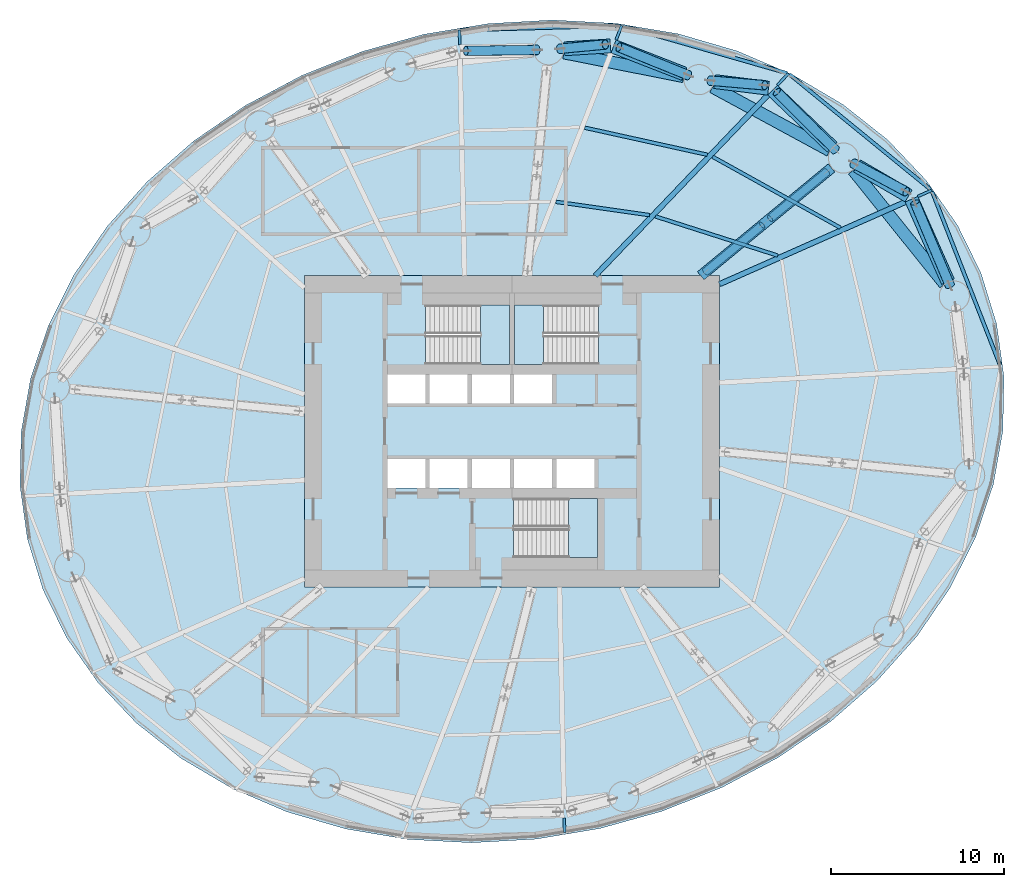
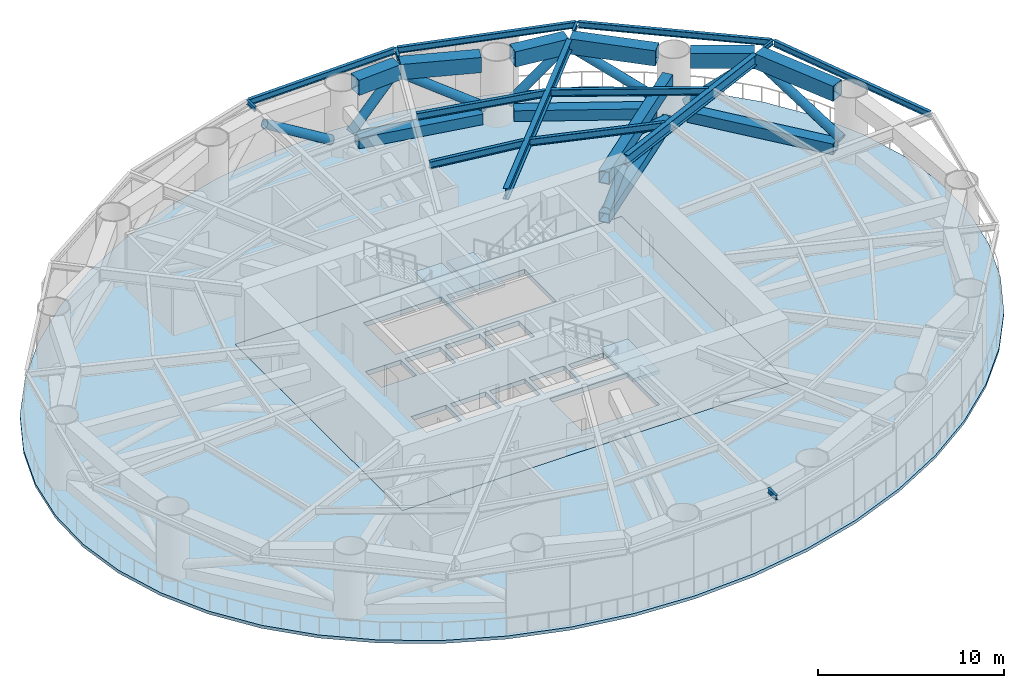
# One storey, part 4 of 15: 20 members, 15 beams, 5 slabs, 3 elements without a shape of their own.
"""IFC4 building model written with IfcOpenShell, lengths in metres."""

from ifc_helpers import new_model, si_unit, direction, frame, origin, origin_2d, place, context, subcontext, project, spatial, polyline, hollow_rectangle, hollow_circle, i_section, outline, extrude, material, layer, layer_set, material_profile, profile_set, type_object, element, aggregate, save


model = new_model("IFC4")

# Units and contexts
model_context = context("Model", 3, precision=1e-05, world=origin(), true_north=direction((0.0, 1.0)))
body_context = subcontext(model_context, "Body", "Model", "MODEL_VIEW")
ifc_project = project(units=[si_unit("LENGTHUNIT", "METRE"), si_unit("AREAUNIT", "SQUARE_METRE"), si_unit("VOLUMEUNIT", "CUBIC_METRE"), si_unit("PLANEANGLEUNIT", "RADIAN"), si_unit("MASSUNIT", "GRAM", prefix="KILO")], contexts=[model_context])

# Site, building, storey
site_placement = place(None, origin())
site = spatial("IfcSite", under=ifc_project, at=site_placement, CompositionType="ELEMENT")
building_placement = place(site_placement, origin())
building = spatial("IfcBuilding", under=site, at=building_placement, Name="Vermilion Reach Broadcast Tower", CompositionType="ELEMENT")
storey_placement = place(building_placement, frame((0.0, 0.0, 84.10009765625)))
storey = spatial("IfcBuildingStorey", under=building, at=storey_placement, Name="L18", CompositionType="ELEMENT", Elevation=84.10009765625)

# Members
ifc_material_1 = material(Name="Steel S460NL", Category="steel")
ifc_material_profile_1 = material_profile(ifc_material_1, hollow_rectangle(XDim=0.699951171875, YDim=0.699951171875, WallThickness=0.034912109375, at=origin_2d()), Name="S460NL BOX 700x700x35")
ifc_profile_set_1 = profile_set([ifc_material_profile_1], Name="Steel S460NL")
member_type_1 = type_object("IfcMemberType", Name="BT1-BC BOX 700x700x35", PredefinedType="CHORD", material=ifc_profile_set_1)
member_1_placement = place(storey_placement, frame((19.011962890625, 8.52587890625, 0.349853515625), z_axis=(-0.626162157191, 0.779692858055, 0.0), x_axis=(-0.779692858055, -0.626162157191, 0.0)))
element("IfcMember", 1, at=member_1_placement, inside=storey, type_object=member_type_1, Name="Belt truss bottom chord BT1-BC01", PredefinedType="CHORD", context=body_context, shape_type="SweptSolid", body=[
    extrude(hollow_rectangle(XDim=0.699951171875, YDim=0.699951171875, WallThickness=0.034912109375, at=origin_2d()), origin(), (0.0, 0.0, 1.0), 8.435791015625),
])
member_2_placement = place(storey_placement, frame((12.375244140625, 16.234130859375, 0.349853515625), z_axis=(-0.878962319551, 0.476891225344, 0.0), x_axis=(-0.476891225344, -0.878962319551, 0.0)))
element("IfcMember", 2, at=member_2_placement, inside=storey, type_object=member_type_1, Name="Belt truss bottom chord BT1-BC02", PredefinedType="CHORD", context=body_context, shape_type="SweptSolid", body=[
    extrude(hollow_rectangle(XDim=0.699951171875, YDim=0.699951171875, WallThickness=0.034912109375, at=origin_2d()), origin(), (0.0, 0.0, 1.0), 7.707275390625),
])
member_3_placement = place(storey_placement, frame((3.927001953125, 20.51416015625, 0.349853515625), z_axis=(-0.980857717995, 0.194725799651, 0.0), x_axis=(-0.194725799651, -0.980857717995, 0.0)))
element("IfcMember", 3, at=member_3_placement, inside=storey, type_object=member_type_1, Name="Belt truss bottom chord BT1-BC03", PredefinedType="CHORD", context=body_context, shape_type="SweptSolid", body=[
    extrude(hollow_rectangle(XDim=0.699951171875, YDim=0.699951171875, WallThickness=0.034912109375, at=origin_2d()), origin(), (0.0, 0.0, 1.0), 7.05859375),
])
ifc_material_2 = material(Name="Steel S355J2H", Category="steel")
ifc_material_profile_2 = material_profile(ifc_material_2, hollow_circle(Radius=0.279541015625, WallThickness=0.02490234375, at=origin_2d()), Name="S355J2H CHS 559x25")
ifc_profile_set_2 = profile_set([ifc_material_profile_2], Name="Steel S355J2H")
member_type_2 = type_object("IfcMemberType", Name="BT1-D CHS 559x25", PredefinedType="BRACE", material=ifc_profile_set_2)
member_4_placement = place(storey_placement, frame((19.32275390625, 8.423095703125, 0.7998046875), z_axis=(-0.349386545183, 0.828605298732, 0.437426909276), x_axis=(-0.921436355221, -0.388529333869, 0.0)))
element("IfcMember", 4, at=member_4_placement, inside=storey, type_object=member_type_2, Name="Belt truss diagonal BT1-D01A", PredefinedType="BRACE", context=body_context, shape_type="SweptSolid", body=[
    extrude(hollow_circle(Radius=0.279541015625, WallThickness=0.02490234375, at=origin_2d()), origin(), (0.0, 0.0, 1.0), 5.806884765625),
])
member_5_placement = place(storey_placement, frame((13.739013671875, 15.49755859375, 0.7998046875), z_axis=(0.710697232619, -0.381455049948, 0.591101927266), x_axis=(0.472919079995, 0.881105864114, 0.0)))
element("IfcMember", 5, at=member_5_placement, inside=storey, type_object=member_type_2, Name="Belt truss diagonal BT1-D01B", PredefinedType="BRACE", context=body_context, shape_type="SweptSolid", body=[
    extrude(hollow_circle(Radius=0.279541015625, WallThickness=0.02490234375, at=origin_2d()), origin(), (0.0, 0.0, 1.0), 4.297119140625),
])
member_6_placement = place(storey_placement, frame((12.705078125, 16.26318359375, 0.7998046875), z_axis=(-0.626485584577, 0.622244648026, 0.469390466797), x_axis=(-0.704701241679, -0.709504164875, 0.0)))
element("IfcMember", 6, at=member_6_placement, inside=storey, type_object=member_type_2, Name="Belt truss diagonal BT1-D02A", PredefinedType="BRACE", context=body_context, shape_type="SweptSolid", body=[
    extrude(hollow_circle(Radius=0.279541015625, WallThickness=0.02490234375, at=origin_2d()), origin(), (0.0, 0.0, 1.0), 5.411376953125),
])
member_7_placement = place(storey_placement, frame((5.45751953125, 20.283203125, 0.7998046875), z_axis=(0.777124142774, -0.066825458407, 0.625789441287), x_axis=(0.085674539458, 0.996323177131, 0.0)))
element("IfcMember", 7, at=member_7_placement, inside=storey, type_object=member_type_2, Name="Belt truss diagonal BT1-D02B", PredefinedType="BRACE", context=body_context, shape_type="SweptSolid", body=[
    extrude(hollow_circle(Radius=0.279541015625, WallThickness=0.02490234375, at=origin_2d()), origin(), (0.0, 0.0, 1.0), 4.058837890625),
])
member_8_placement = place(storey_placement, frame((4.20751953125, 20.583251953125, 0.7998046875), z_axis=(-0.800150353809, 0.324404937094, 0.504500592754), x_axis=(-0.375724663225, -0.926731340489, 0.0)))
element("IfcMember", 8, at=member_8_placement, inside=storey, type_object=member_type_2, Name="Belt truss diagonal BT1-D03A", PredefinedType="BRACE", context=body_context, shape_type="SweptSolid", body=[
    extrude(hollow_circle(Radius=0.279541015625, WallThickness=0.02490234375, at=origin_2d()), origin(), (0.0, 0.0, 1.0), 5.03466796875),
])
member_9_placement = place(storey_placement, frame((-3.232177734375, 22.124755859375, 0.7998046875), z_axis=(0.717190475774, 0.06759910229, 0.693590789175), x_axis=(-0.093839520276, 0.995587336417, 0.0)))
element("IfcMember", 9, at=member_9_placement, inside=storey, type_object=member_type_2, Name="Belt truss diagonal BT1-D03B", PredefinedType="BRACE", context=body_context, shape_type="SweptSolid", body=[
    extrude(hollow_circle(Radius=0.279541015625, WallThickness=0.02490234375, at=origin_2d()), origin(), (0.0, 0.0, 1.0), 3.662109375),
])
member_10_placement = place(storey_placement, frame((-4.529296875, 22.05517578125, 0.7998046875), z_axis=(-0.852272311599, -0.011360279706, 0.522975000288), x_axis=(0.013328217377, -0.999911175366, 0.0)))
element("IfcMember", 10, at=member_10_placement, inside=storey, type_object=member_type_2, Name="Belt truss diagonal BT1-D04A", PredefinedType="BRACE", context=body_context, shape_type="SweptSolid", body=[
    extrude(hollow_circle(Radius=0.279541015625, WallThickness=0.02490234375, at=origin_2d()), origin(), (0.0, 0.0, 1.0), 4.85693359375),
])
ifc_material_3 = material(Name="Steel S460NL", Category="steel")
ifc_material_profile_3 = material_profile(ifc_material_3, hollow_rectangle(XDim=0.800048828125, YDim=1.0, WallThickness=0.0400390625, at=origin_2d()), Name="S460NL BOX 800x1000x40")
ifc_profile_set_3 = profile_set([ifc_material_profile_3], Name="Steel S460NL")
member_type_3 = type_object("IfcMemberType", Name="BT1-TC BOX 800x1000x40", PredefinedType="CHORD", material=ifc_profile_set_3)
member_11_placement = place(storey_placement, frame((19.207275390625, 8.65625, 3.849853515625), z_axis=(-0.404643107068, 0.914474688497, 0.0), x_axis=(-0.914474688497, -0.404643107068, 0.0)))
element("IfcMember", 11, at=member_11_placement, inside=storey, type_object=member_type_3, Name="Belt truss top chord BT1-TC01", PredefinedType="CHORD", context=body_context, shape_type="SweptSolid", body=[
    extrude(hollow_rectangle(XDim=0.800048828125, YDim=1.0, WallThickness=0.0400390625, at=origin_2d()), origin(), (0.0, 0.0, 1.0), 5.212890625),
])
member_12_placement = place(storey_placement, frame((16.927001953125, 13.6142578125, 3.849853515625), z_axis=(-0.86407971885, 0.503354983557, 0.0), x_axis=(-0.503354983557, -0.86407971885, 0.0)))
element("IfcMember", 12, at=member_12_placement, inside=storey, type_object=member_type_3, Name="Belt truss top chord BT1-TC02", PredefinedType="CHORD", context=body_context, shape_type="SweptSolid", body=[
    extrude(hollow_rectangle(XDim=0.800048828125, YDim=1.0, WallThickness=0.0400390625, at=origin_2d()), origin(), (0.0, 0.0, 1.0), 3.442138671875),
])
member_13_placement = place(storey_placement, frame((12.50830078125, 16.433837890625, 3.849853515625), z_axis=(-0.722984436357, 0.690864317204, 0.0), x_axis=(-0.690864317204, -0.722984436357, 0.0)))
element("IfcMember", 13, at=member_13_placement, inside=storey, type_object=member_type_3, Name="Belt truss top chord BT1-TC03", PredefinedType="CHORD", context=body_context, shape_type="SweptSolid", body=[
    extrude(hollow_rectangle(XDim=0.800048828125, YDim=1.0, WallThickness=0.0400390625, at=origin_2d()), origin(), (0.0, 0.0, 1.0), 4.765625),
])
member_14_placement = place(storey_placement, frame((8.8271484375, 19.838134765625, 3.849853515625), z_axis=(-0.992320901916, 0.12369004657, 0.0), x_axis=(-0.12369004657, -0.992320901916, 0.0)))
element("IfcMember", 14, at=member_14_placement, inside=storey, type_object=member_type_3, Name="Belt truss top chord BT1-TC04", PredefinedType="CHORD", context=body_context, shape_type="SweptSolid", body=[
    extrude(hollow_rectangle(XDim=0.800048828125, YDim=1.0, WallThickness=0.0400390625, at=origin_2d()), origin(), (0.0, 0.0, 1.0), 3.138427734375),
])
member_15_placement = place(storey_placement, frame((3.9619140625, 20.669189453125, 3.849853515625), z_axis=(-0.931886618967, 0.362749678691, 0.0), x_axis=(-0.362749678691, -0.931886618967, 0.0)))
element("IfcMember", 15, at=member_15_placement, inside=storey, type_object=member_type_3, Name="Belt truss top chord BT1-TC05", PredefinedType="CHORD", context=body_context, shape_type="SweptSolid", body=[
    extrude(hollow_rectangle(XDim=0.800048828125, YDim=1.0, WallThickness=0.0400390625, at=origin_2d()), origin(), (0.0, 0.0, 1.0), 4.387451171875),
])
member_16_placement = place(storey_placement, frame((-0.306396484375, 22.28857421875, 3.849853515625), z_axis=(-0.998030815218, -0.062725528103, 0.0), x_axis=(0.062725528103, -0.998030815218, 0.0)))
element("IfcMember", 16, at=member_16_placement, inside=storey, type_object=member_type_3, Name="Belt truss top chord BT1-TC06", PredefinedType="CHORD", context=body_context, shape_type="SweptSolid", body=[
    extrude(hollow_rectangle(XDim=0.800048828125, YDim=1.0, WallThickness=0.0400390625, at=origin_2d()), origin(), (0.0, 0.0, 1.0), 2.670166015625),
])

# Beams
ifc_material_4 = material(Name="Steel S355J2", Category="steel")
ifc_material_profile_4 = material_profile(ifc_material_4, i_section(OverallWidth=0.199951171875, OverallDepth=0.39990234375, WebThickness=0.008056640625, FlangeThickness=0.012939453125, at=origin_2d()), Name="S355J2 HN 400x200x8x13")
ifc_profile_set_4 = profile_set([ifc_material_profile_4], Name="Steel S355J2")
beam_type_1 = type_object("IfcBeamType", Name="EB2 HN 400x200x8x13", PredefinedType="BEAM", material=ifc_profile_set_4)
beam_1_placement = place(storey_placement, frame((18.197021484375, 13.99169921875, 4.14990234375), z_axis=(-0.774674189171, 0.632360578019, 0.0), x_axis=(-0.632360578019, -0.774674189171, 0.0)))
element("IfcBeam", 17, at=beam_1_placement, inside=storey, type_object=beam_type_1, Name="Edge beam EB2-01", PredefinedType="BEAM", context=body_context, shape_type="SweptSolid", body=[
    extrude(i_section(OverallWidth=0.199951171875, OverallDepth=0.39990234375, WebThickness=0.008056640625, FlangeThickness=0.012939453125, at=origin_2d()), origin(), (0.0, 0.0, 1.0), 10.52294921875),
])
beam_2_placement = place(storey_placement, frame((9.905517578125, 20.716796875, 4.14990234375), z_axis=(-0.961163948934, 0.275978012294, 0.0), x_axis=(-0.275978012294, -0.961163948934, 0.0)))
element("IfcBeam", 18, at=beam_2_placement, inside=storey, type_object=beam_type_1, Name="Edge beam EB2-02", PredefinedType="BEAM", context=body_context, shape_type="SweptSolid", body=[
    extrude(i_section(OverallWidth=0.199951171875, OverallDepth=0.39990234375, WebThickness=0.008056640625, FlangeThickness=0.012939453125, at=origin_2d()), origin(), (0.0, 0.0, 1.0), 9.875244140625),
])
beam_3_placement = place(storey_placement, frame((0.260009765625, 23.460693359375, 4.14990234375), z_axis=(-0.999611355727, -0.027877186033, 0.0), x_axis=(0.027877186033, -0.999611355727, 0.0)))
element("IfcBeam", 19, at=beam_3_placement, inside=storey, type_object=beam_type_1, Name="Edge beam EB2-03", PredefinedType="BEAM", context=body_context, shape_type="SweptSolid", body=[
    extrude(i_section(OverallWidth=0.199951171875, OverallDepth=0.39990234375, WebThickness=0.008056640625, FlangeThickness=0.012939453125, at=origin_2d()), origin(), (0.0, 0.0, 1.0), 9.230712890625),
])
beam_4_placement = place(storey_placement, frame((22.212646484375, 3.84814453125, 4.14990234375), z_axis=(-0.364562728951, 0.931178831729, 0.0), x_axis=(-0.931178831729, -0.364562728951, 0.0)))
element("IfcBeam", 20, at=beam_4_placement, inside=storey, type_object=beam_type_1, Name="Edge beam EB2-16", PredefinedType="BEAM", context=body_context, shape_type="SweptSolid", body=[
    extrude(i_section(OverallWidth=0.199951171875, OverallDepth=0.39990234375, WebThickness=0.008056640625, FlangeThickness=0.012939453125, at=origin_2d()), origin(), (0.0, 0.0, 1.0), 10.760986328125),
])
ifc_material_5 = material(Name="Steel S355J2", Category="steel")
ifc_material_profile_5 = material_profile(ifc_material_5, i_section(OverallWidth=0.300048828125, OverallDepth=0.699951171875, WebThickness=0.012939453125, FlangeThickness=0.02392578125, at=origin_2d()), Name="S355J2 HN 700x300x13x24")
ifc_profile_set_5 = profile_set([ifc_material_profile_5], Name="Steel S355J2")
beam_type_2 = type_object("IfcBeamType", Name="G2 HN 700x300x13x24", PredefinedType="BEAM", material=ifc_profile_set_5)
beam_5_placement = place(storey_placement, frame((6.0, 8.512939453125, 4.0), z_axis=(0.914484567844, 0.404620779466, 0.0), x_axis=(-0.404620779466, 0.914484567844, 0.0)))
element("IfcBeam", 21, at=beam_5_placement, inside=storey, type_object=beam_type_2, Name="Girder G2-01", PredefinedType="BEAM", context=body_context, shape_type="SweptSolid", body=[
    extrude(i_section(OverallWidth=0.300048828125, OverallDepth=0.699951171875, WebThickness=0.012939453125, FlangeThickness=0.02392578125, at=origin_2d()), origin(), (0.0, 0.0, 1.0), 11.73583984375),
])
beam_6_placement = place(storey_placement, frame((-1.18701171875, 9.0, 4.0), z_axis=(0.690866611589, 0.722982243897, 0.0), x_axis=(-0.722982243897, 0.690866611589, 0.0)))
element("IfcBeam", 22, at=beam_6_placement, inside=storey, type_object=beam_type_2, Name="Girder G2-02", PredefinedType="BEAM", context=body_context, shape_type="SweptSolid", body=[
    extrude(i_section(OverallWidth=0.300048828125, OverallDepth=0.699951171875, WebThickness=0.012939453125, FlangeThickness=0.02392578125, at=origin_2d()), origin(), (0.0, 0.0, 1.0), 14.43603515625),
])
ifc_material_6 = material(Name="Steel S355J2", Category="steel")
ifc_material_profile_6 = material_profile(ifc_material_6, i_section(OverallWidth=0.14990234375, OverallDepth=0.300048828125, WebThickness=0.006591796875, FlangeThickness=0.009033203125, at=origin_2d()), Name="S355J2 HN 300x150x6.5x9")
ifc_profile_set_6 = profile_set([ifc_material_profile_6], Name="Steel S355J2")
beam_type_3 = type_object("IfcBeamType", Name="GS2 HN 300x150x6.5x9", PredefinedType="BEAM", material=ifc_profile_set_6)
beam_7_placement = place(storey_placement, frame((17.463623046875, 13.585205078125, 4.199951171875), z_axis=(0.914513457576, 0.404555479399, 0.0), x_axis=(-0.404555479399, 0.914513457576, 0.0)))
element("IfcBeam", 23, at=beam_7_placement, inside=storey, type_object=beam_type_3, Name="Cantilever stub GS2-01", PredefinedType="BEAM", context=body_context, shape_type="SweptSolid", body=[
    extrude(i_section(OverallWidth=0.14990234375, OverallDepth=0.300048828125, WebThickness=0.006591796875, FlangeThickness=0.009033203125, at=origin_2d()), origin(), (0.0, 0.0, 1.0), 0.873291015625),
])
beam_8_placement = place(storey_placement, frame((9.3388671875, 20.015380859375, 4.199951171875), z_axis=(0.690915224697, 0.722935787108, 0.0), x_axis=(-0.722935787108, 0.690915224697, 0.0)))
element("IfcBeam", 24, at=beam_8_placement, inside=storey, type_object=beam_type_3, Name="Cantilever stub GS2-02", PredefinedType="BEAM", context=body_context, shape_type="SweptSolid", body=[
    extrude(i_section(OverallWidth=0.14990234375, OverallDepth=0.300048828125, WebThickness=0.006591796875, FlangeThickness=0.009033203125, at=origin_2d()), origin(), (0.0, 0.0, 1.0), 0.937744140625),
])
beam_9_placement = place(storey_placement, frame((0.0185546875, 22.633544921875, 4.199951171875), z_axis=(0.362671308527, 0.931917121836, 0.0), x_axis=(-0.931917121836, 0.362671308527, 0.0)))
element("IfcBeam", 25, at=beam_9_placement, inside=storey, type_object=beam_type_3, Name="Cantilever stub GS2-03", PredefinedType="BEAM", context=body_context, shape_type="SweptSolid", body=[
    extrude(i_section(OverallWidth=0.14990234375, OverallDepth=0.300048828125, WebThickness=0.006591796875, FlangeThickness=0.009033203125, at=origin_2d()), origin(), (0.0, 0.0, 1.0), 0.889892578125),
])
for number, where, z_axis, x_axis, name in (
    (26, (-9.0244140625, 22.356689453125, 4.199951171875), (-0.020804744557, 0.999783557878, 0.0), (-0.999783557878, -0.020804744557, 0.0), "Cantilever stub GS2-04"),
    (27, (-2.9755859375, -22.356689453125, 4.199951171875), (0.020804744557, -0.999783557878, 0.0), (0.999783557878, 0.020804744557, 0.0), "Cantilever stub GS2-12"),
):
    element("IfcBeam", number, at=place(storey_placement, frame(where, z_axis=z_axis, x_axis=x_axis)), inside=storey, type_object=beam_type_3, Name=name, PredefinedType="BEAM", context=body_context, shape_type="SweptSolid", body=[
        extrude(i_section(OverallWidth=0.14990234375, OverallDepth=0.300048828125, WebThickness=0.006591796875, FlangeThickness=0.009033203125, at=origin_2d()), origin(), (0.0, 0.0, 1.0), 0.844970703125),
    ])

# Members
ifc_material_7 = material(Name="Steel S460NL", Category="steel")
ifc_material_profile_7 = material_profile(ifc_material_7, hollow_rectangle(XDim=0.60009765625, YDim=0.60009765625, WallThickness=0.030029296875, at=origin_2d()), Name="S460NL BOX 600x600x30")
ifc_profile_set_7 = profile_set([ifc_material_profile_7], Name="Steel S460NL")
member_type_4 = type_object("IfcMemberType", Name="OR1-BC BOX 600x600x30", PredefinedType="CHORD", material=ifc_profile_set_7)
member_17_placement = place(storey_placement, frame((4.9140625, 9.0, 0.2998046875), z_axis=(0.771514256373, 0.636212034005, 0.0), x_axis=(-0.636212034005, 0.771514256373, 0.0)))
element("IfcMember", 28, at=member_17_placement, inside=storey, type_object=member_type_4, Name="Outrigger bottom chord OR1-02", PredefinedType="CHORD", context=body_context, shape_type="SweptSolid", body=[
    extrude(hollow_rectangle(XDim=0.60009765625, YDim=0.60009765625, WallThickness=0.030029296875, at=origin_2d()), origin(), (0.0, 0.0, 1.0), 9.796142578125),
])
ifc_material_8 = material(Name="Steel S355J2H", Category="steel")
ifc_material_profile_8 = material_profile(ifc_material_8, hollow_circle(Radius=0.228515625, WallThickness=0.02001953125, at=origin_2d()), Name="S355J2H CHS 457x20")
ifc_profile_set_8 = profile_set([ifc_material_profile_8], Name="Steel S355J2H")
member_type_5 = type_object("IfcMemberType", Name="OR1-D CHS 457x20", PredefinedType="BRACE", material=ifc_profile_set_8)
member_18_placement = place(storey_placement, frame((5.18408203125, 9.22265625, 0.599853515625), z_axis=(0.701165848918, 0.578211110512, 0.417179055073), x_axis=(-0.63621879477, 0.77150868121, 0.0)))
element("IfcMember", 29, at=member_18_placement, inside=storey, type_object=member_type_5, Name="Outrigger diagonal OR1-02-DA", PredefinedType="BRACE", context=body_context, shape_type="SweptSolid", body=[
    extrude(hollow_circle(Radius=0.228515625, WallThickness=0.02001953125, at=origin_2d()), origin(), (0.0, 0.0, 1.0), 4.674072265625),
])
member_19_placement = place(storey_placement, frame((12.201904296875, 15.009765625, 0.599853515625), z_axis=(-0.701192400587, -0.578189934786, 0.417163776796), x_axis=(0.636190585394, -0.771531942991, 0.0)))
element("IfcMember", 30, at=member_19_placement, inside=storey, type_object=member_type_5, Name="Outrigger diagonal OR1-02-DB", PredefinedType="BRACE", context=body_context, shape_type="SweptSolid", body=[
    extrude(hollow_circle(Radius=0.228515625, WallThickness=0.02001953125, at=origin_2d()), origin(), (0.0, 0.0, 1.0), 4.67431640625),
])
ifc_material_9 = material(Name="Steel S460NL", Category="steel")
ifc_material_profile_9 = material_profile(ifc_material_9, hollow_rectangle(XDim=0.60009765625, YDim=0.800048828125, WallThickness=0.030029296875, at=origin_2d()), Name="S460NL BOX 600x800x30")
ifc_profile_set_9 = profile_set([ifc_material_profile_9], Name="Steel S460NL")
member_type_6 = type_object("IfcMemberType", Name="OR1-TC BOX 600x800x30", PredefinedType="CHORD", material=ifc_profile_set_9)
member_20_placement = place(storey_placement, frame((4.9140625, 9.0, 2.949951171875), z_axis=(0.771514256373, 0.636212034005, 0.0), x_axis=(-0.636212034005, 0.771514256373, 0.0)))
element("IfcMember", 31, at=member_20_placement, inside=storey, type_object=member_type_6, Name="Outrigger top chord OR1-02", PredefinedType="CHORD", context=body_context, shape_type="SweptSolid", body=[
    extrude(hollow_rectangle(XDim=0.60009765625, YDim=0.800048828125, WallThickness=0.030029296875, at=origin_2d()), origin(), (0.0, 0.0, 1.0), 9.796142578125),
])

# Beams
ifc_material_10 = material(Name="Steel S355J2", Category="steel")
ifc_material_profile_10 = material_profile(ifc_material_10, i_section(OverallWidth=0.199951171875, OverallDepth=0.449951171875, WebThickness=0.009033203125, FlangeThickness=0.013916015625, at=origin_2d()), Name="S355J2 HN 450x200x9x14")
ifc_profile_set_10 = profile_set([ifc_material_profile_10], Name="Steel S355J2")
beam_type_4 = type_object("IfcBeamType", Name="SB2 HN 450x200x9x14", PredefinedType="BEAM", material=ifc_profile_set_10)
beam_10_placement = place(storey_placement, frame((9.3623046875, 10.164794921875, 4.125), z_axis=(-0.952332792241, 0.305061064089, 0.0), x_axis=(-0.305061064089, -0.952332792241, 0.0)))
element("IfcBeam", 32, at=beam_10_placement, inside=storey, type_object=beam_type_4, Name="Secondary beam SB2-01-1", PredefinedType="BEAM", context=body_context, shape_type="SweptSolid", body=[
    extrude(i_section(OverallWidth=0.199951171875, OverallDepth=0.449951171875, WebThickness=0.009033203125, FlangeThickness=0.013916015625, at=origin_2d()), origin(), (0.0, 0.0, 1.0), 7.419677734375),
])
beam_11_placement = place(storey_placement, frame((12.990478515625, 11.77001953125, 4.125), z_axis=(-0.873879442555, 0.486142694977, 0.0), x_axis=(-0.486142694977, -0.873879442555, 0.0)))
element("IfcBeam", 33, at=beam_11_placement, inside=storey, type_object=beam_type_4, Name="Secondary beam SB2-01-2", PredefinedType="BEAM", context=body_context, shape_type="SweptSolid", body=[
    extrude(i_section(OverallWidth=0.199951171875, OverallDepth=0.449951171875, WebThickness=0.009033203125, FlangeThickness=0.013916015625, at=origin_2d()), origin(), (0.0, 0.0, 1.0), 8.4599609375),
])
beam_12_placement = place(storey_placement, frame((1.954833984375, 12.5048828125, 4.125), z_axis=(-0.990066909371, 0.140596994879, 0.0), x_axis=(-0.140596994879, -0.990066909371, 0.0)))
element("IfcBeam", 34, at=beam_12_placement, inside=storey, type_object=beam_type_4, Name="Secondary beam SB2-02-1", PredefinedType="BEAM", context=body_context, shape_type="SweptSolid", body=[
    extrude(i_section(OverallWidth=0.199951171875, OverallDepth=0.449951171875, WebThickness=0.009033203125, FlangeThickness=0.013916015625, at=origin_2d()), origin(), (0.0, 0.0, 1.0), 5.473388671875),
])
beam_13_placement = place(storey_placement, frame((5.29052734375, 15.995849609375, 4.125), z_axis=(-0.976515238852, 0.215448342507, 0.0), x_axis=(-0.215448342507, -0.976515238852, 0.0)))
element("IfcBeam", 35, at=beam_13_placement, inside=storey, type_object=beam_type_4, Name="Secondary beam SB2-02-2", PredefinedType="BEAM", context=body_context, shape_type="SweptSolid", body=[
    extrude(i_section(OverallWidth=0.199951171875, OverallDepth=0.449951171875, WebThickness=0.009033203125, FlangeThickness=0.013916015625, at=origin_2d()), origin(), (0.0, 0.0, 1.0), 7.2568359375),
])

# Slab
ifc_material_11 = material(Name="Concrete C40", Category="concrete")
ifc_layer_1 = layer(ifc_material_11, 0.300048828125)
ifc_layer_set_1 = layer_set([ifc_layer_1], Name="Core floor slab 300 mm Concrete C40")
slab_type_1 = type_object("IfcSlabType", Name="Core floor slab 300 mm Concrete C40", PredefinedType="FLOOR", material=ifc_layer_set_1)
slab_1_placement = place(storey_placement, frame((0.0, 0.0, -0.300048828125)))
element("IfcSlab", 36, at=slab_1_placement, inside=storey, type_object=slab_type_1, Name="L18 core floor", PredefinedType="FLOOR", context=body_context, shape_type="SweptSolid", body=[
    extrude(outline(polyline([(-18.0, -9.0), (6.0, -9.0), (6.0, 9.0), (-18.0, 9.0), (-18.0, -9.0)]), holes=[polyline([(-13.199951171875, 1.60009765625), (-11.00830078125, 1.60009765625), (-11.00830078125, 3.280029296875), (-13.199951171875, 3.280029296875), (-13.199951171875, 1.60009765625)]), polyline([(-10.75830078125, 1.60009765625), (-8.566650390625, 1.60009765625), (-8.566650390625, 3.280029296875), (-10.75830078125, 3.280029296875), (-10.75830078125, 1.60009765625)]), polyline([(-8.316650390625, 1.60009765625), (-6.125, 1.60009765625), (-6.125, 3.280029296875), (-8.316650390625, 3.280029296875), (-8.316650390625, 1.60009765625)]), polyline([(-5.875, 1.60009765625), (-3.683349609375, 1.60009765625), (-3.683349609375, 3.280029296875), (-5.875, 3.280029296875), (-5.875, 1.60009765625)]), polyline([(-13.199951171875, -3.280029296875), (-11.00830078125, -3.280029296875), (-11.00830078125, -1.60009765625), (-13.199951171875, -1.60009765625), (-13.199951171875, -3.280029296875)]), polyline([(-10.75830078125, -3.280029296875), (-8.566650390625, -3.280029296875), (-8.566650390625, -1.60009765625), (-10.75830078125, -1.60009765625), (-10.75830078125, -3.280029296875)]), polyline([(-8.316650390625, -3.280029296875), (-6.125, -3.280029296875), (-6.125, -1.60009765625), (-8.316650390625, -1.60009765625), (-8.316650390625, -3.280029296875)]), polyline([(-5.875, -3.280029296875), (-3.683349609375, -3.280029296875), (-3.683349609375, -1.60009765625), (-5.875, -1.60009765625), (-5.875, -3.280029296875)]), polyline([(-3.433349609375, -3.280029296875), (-1.24169921875, -3.280029296875), (-1.24169921875, -1.60009765625), (-3.433349609375, -1.60009765625), (-3.433349609375, -3.280029296875)]), polyline([(-10.999267578125, 3.8798828125), (-6.14990234375, 3.8798828125), (-6.14990234375, 7.300048828125), (-10.999267578125, 7.300048828125), (-10.999267578125, 3.8798828125)]), polyline([(-1.000732421875, 7.300048828125), (-5.85009765625, 7.300048828125), (-5.85009765625, 3.8798828125), (-1.000732421875, 3.8798828125), (-1.000732421875, 7.300048828125)]), polyline([(-5.8994140625, -7.300048828125), (-1.050048828125, -7.300048828125), (-1.050048828125, -3.8798828125), (-5.8994140625, -3.8798828125), (-5.8994140625, -7.300048828125)])]), origin(), (0.0, 0.0, 1.0), 0.300048828125),
])

# Stair, slab
ifc_material_12 = material(Name="Concrete C40", Category="concrete")
stair_type = type_object("IfcStairType", Name="Exit stair RC 26 risers 173 mm", PredefinedType="HALF_TURN_STAIR", material=ifc_material_12)
placement_1 = place(storey_placement, origin())
stair_1 = element("IfcStair", 37, at=placement_1, inside=storey, type_object=stair_type, Name="L18 Exit stair ST1", PredefinedType="HALF_TURN_STAIR")
ifc_material_13 = material(Name="Concrete C40", Category="concrete")
ifc_layer_2 = layer(ifc_material_13, 0.199951171875)
ifc_layer_set_2 = layer_set([ifc_layer_2], Name="Exit stair landing Concrete C40")
slab_type_2 = type_object("IfcSlabType", Name="Exit stair landing Concrete C40", PredefinedType="LANDING", material=ifc_layer_set_2)
placement_2 = place(storey_placement, frame((0.0, 0.0, 2.0498046875)))
slab_2 = element("IfcSlab", 38, at=placement_2, type_object=slab_type_2, Name="ST1 landing 1", PredefinedType="LANDING", context=body_context, shape_type="SweptSolid", body=[
    extrude(outline(polyline([(-7.820068359375, 3.8798828125), (-6.14990234375, 3.8798828125), (-6.14990234375, 7.300048828125), (-7.820068359375, 7.300048828125), (-7.820068359375, 3.8798828125)])), origin(), (0.0, 0.0, 1.0), 0.2001953125),
])
aggregate(stair_1, [slab_2])

stair_2 = element("IfcStair", 39, at=placement_1, inside=storey, type_object=stair_type, Name="L18 Exit stair ST2", PredefinedType="HALF_TURN_STAIR")
slab_3 = element("IfcSlab", 40, at=placement_2, type_object=slab_type_2, Name="ST2 landing 1", PredefinedType="LANDING", context=body_context, shape_type="SweptSolid", body=[
    extrude(outline(polyline([(-4.179931640625, 7.300048828125), (-5.85009765625, 7.300048828125), (-5.85009765625, 3.8798828125), (-4.179931640625, 3.8798828125), (-4.179931640625, 7.300048828125)])), origin(), (0.0, 0.0, 1.0), 0.2001953125),
])
aggregate(stair_2, [slab_3])

stair_3 = element("IfcStair", 41, at=placement_1, inside=storey, type_object=stair_type, Name="L18 Exit stair ST3", PredefinedType="HALF_TURN_STAIR")
slab_4 = element("IfcSlab", 42, at=placement_2, type_object=slab_type_2, Name="ST3 landing 1", PredefinedType="LANDING", context=body_context, shape_type="SweptSolid", body=[
    extrude(outline(polyline([(-2.719970703125, -7.300048828125), (-1.050048828125, -7.300048828125), (-1.050048828125, -3.8798828125), (-2.719970703125, -3.8798828125), (-2.719970703125, -7.300048828125)])), origin(), (0.0, 0.0, 1.0), 0.2001953125),
])
aggregate(stair_3, [slab_4])

# Slab
ifc_material_14 = material(Name="Concrete C40", Category="concrete")
ifc_layer_3 = layer(ifc_material_14, 0.199951171875)
ifc_layer_set_3 = layer_set([ifc_layer_3], Name="Floor slab Concrete C40 200")
slab_type_3 = type_object("IfcSlabType", Name="Floor slab Concrete C40 200", PredefinedType="FLOOR", material=ifc_layer_set_3)
slab_5_placement = place(storey_placement, frame((0.0, 0.0, -0.2001953125)))
element("IfcSlab", 43, at=slab_5_placement, inside=storey, type_object=slab_type_3, Name="Floor slab L18", PredefinedType="FLOOR", context=body_context, shape_type="SweptSolid", body=[
    extrude(outline(polyline([(22.023681640625, 6.202392578125), (21.12060546875, 9.146728515625), (19.75341796875, 11.9345703125), (17.945556640625, 14.518310546875), (15.72802734375, 16.853515625), (13.138671875, 18.900146484375), (10.221923828125, 20.623779296875), (7.027587890625, 21.994384765625), (3.6103515625, 22.988525390625), (0.028564453125, 23.58935546875), (-3.65625, 23.78662109375), (-7.38134765625, 23.576904296875), (-11.08251953125, 22.9638671875), (-14.697021484375, 21.957763671875), (-18.162353515625, 20.576171875), (-21.419921875, 18.84228515625), (-24.41357421875, 16.7861328125), (-27.092041015625, 14.442626953125), (-29.40966796875, 11.85205078125), (-31.32666015625, 9.058837890625), (-32.810546875, 6.1103515625), (-33.83544921875, 3.0576171875), (-34.38427734375, -0.047607421875), (-34.447265625, -3.152099609375), (-34.023681640625, -6.202392578125), (-33.12060546875, -9.146728515625), (-31.75341796875, -11.9345703125), (-29.945556640625, -14.518310546875), (-27.72802734375, -16.853515625), (-25.138671875, -18.900146484375), (-22.221923828125, -20.623779296875), (-19.027587890625, -21.994384765625), (-15.6103515625, -22.988525390625), (-12.028564453125, -23.58935546875), (-8.34375, -23.78662109375), (-4.61865234375, -23.576904296875), (-0.91748046875, -22.9638671875), (2.697021484375, -21.957763671875), (6.162353515625, -20.576171875), (9.419921875, -18.84228515625), (12.41357421875, -16.7861328125), (15.092041015625, -14.442626953125), (17.40966796875, -11.85205078125), (19.32666015625, -9.058837890625), (20.810546875, -6.1103515625), (21.83544921875, -3.0576171875), (22.38427734375, 0.047607421875), (22.447265625, 3.152099609375), (22.023681640625, 6.202392578125)]), holes=[polyline([(-18.0, -9.0), (6.0, -9.0), (6.0, 9.0), (-18.0, 9.0), (-18.0, -9.0)])]), origin(), (0.0, 0.0, 1.0), 0.2001953125),
])

save(model, "model.ifc")
